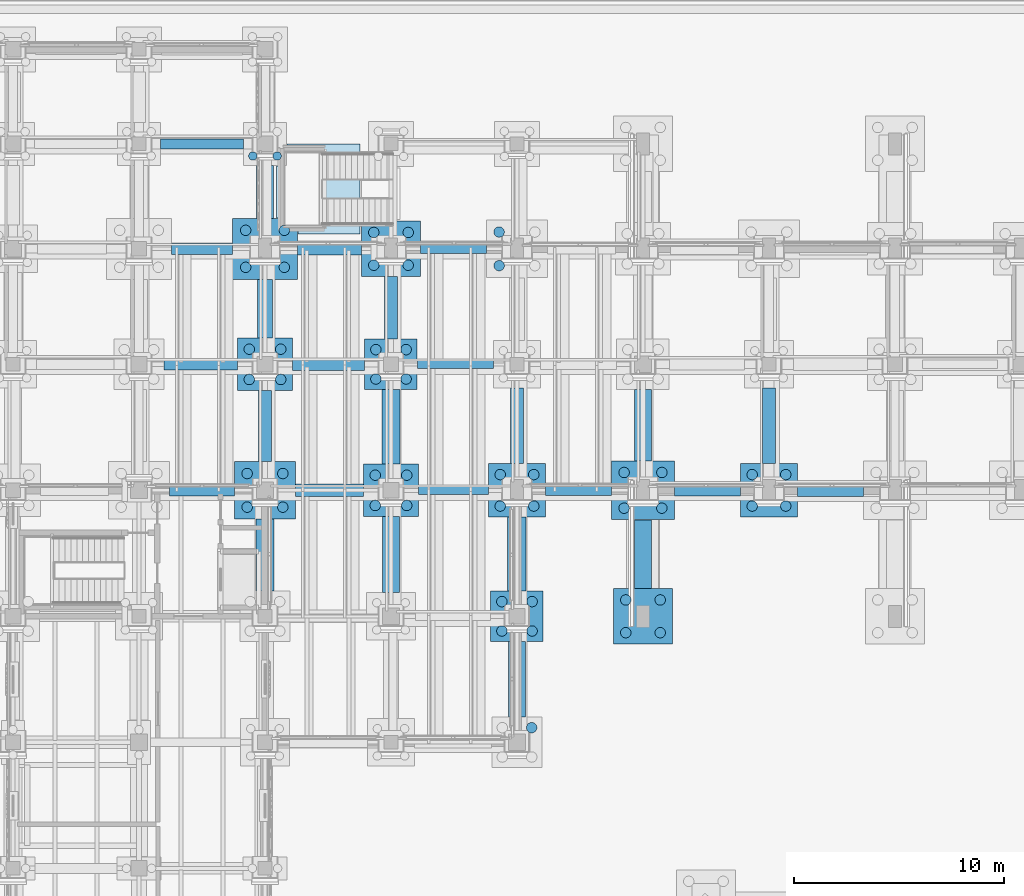
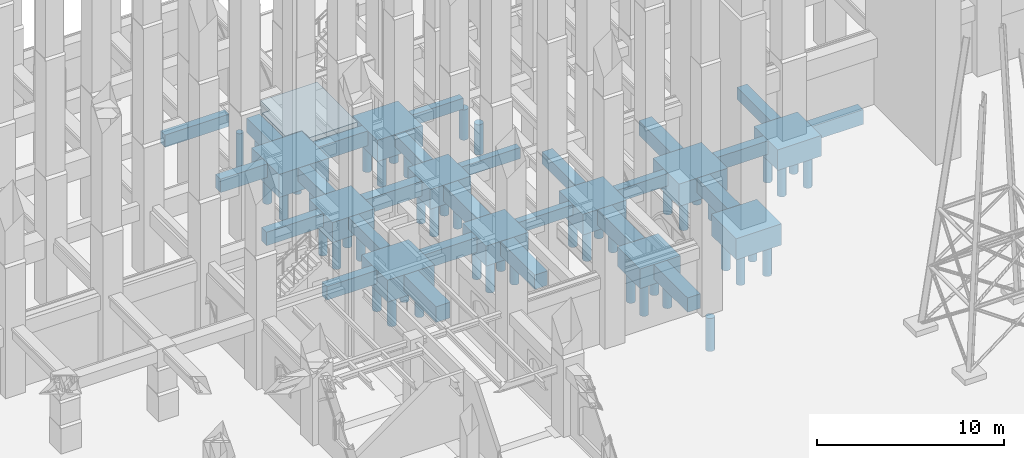
# One storey, part 9 of 135: 49 piles, 38 footings.
"""IFC4 building model written with IfcOpenShell, lengths in metres."""

from ifc_helpers import new_model, si_unit, direction, frame, origin, origin_2d, place, context, subcontext, project, spatial, polyline, rectangle, circle, outline, extrude, material, material_profile, profile_set, type_object, element, save


model = new_model("IFC4")

# Units and contexts
model_context = context("Model", 3, precision=1e-05, world=origin(), true_north=direction((0.0, 1.0)))
body_context = subcontext(model_context, "Body", "Model", "MODEL_VIEW")
ifc_project = project(units=[si_unit("LENGTHUNIT", "METRE"), si_unit("AREAUNIT", "SQUARE_METRE"), si_unit("VOLUMEUNIT", "CUBIC_METRE"), si_unit("PLANEANGLEUNIT", "RADIAN"), si_unit("MASSUNIT", "GRAM", prefix="KILO")], contexts=[model_context])

# Site, building, storey
site_placement = place(None, origin())
site = spatial("IfcSite", under=ifc_project, at=site_placement, CompositionType="ELEMENT")
building_placement = place(site_placement, origin())
building = spatial("IfcBuilding", under=site, at=building_placement, Name="Cumevento Cable Car Station", CompositionType="ELEMENT")
storey_placement = place(building_placement, origin())
storey = spatial("IfcBuildingStorey", under=building, at=storey_placement, Name="L01", CompositionType="ELEMENT", Elevation=0.0)

# Footings
ifc_material_1 = material(Name="Concrete C40/50", Category="concrete")
footing_type_1 = type_object("IfcFootingType", Name="Ground Beam GB-01 420x720", PredefinedType="FOOTING_BEAM", material=ifc_material_1)
footing_1_placement = place(storey_placement, frame((0.0, 0.0, -0.719970703125)))
element("IfcFooting", 1, at=footing_1_placement, inside=storey, type_object=footing_type_1, Name="Ground Tie Beam GB-01 #96", PredefinedType="FOOTING_BEAM", context=body_context, shape_type="SweptSolid", body=[
    extrude(outline(polyline([(77.302001953125, 44.7900390625), (80.64794921875, 44.7900390625), (80.64794921875, 45.2099609375), (77.302001953125, 45.2099609375), (77.302001953125, 44.7900390625)])), origin(), (0.0, 0.0, 1.0), 0.719970703125),
])
footing_2_placement = place(storey_placement, frame((0.0, 0.0, -0.719970703125)))
element("IfcFooting", 2, at=footing_2_placement, inside=storey, type_object=footing_type_1, Name="Ground Tie Beam GB-01 #120", PredefinedType="FOOTING_BEAM", context=body_context, shape_type="SweptSolid", body=[
    extrude(outline(polyline([(77.251953125, 50.7900390625), (80.873046875, 50.7900390625), (80.873046875, 51.2099609375), (77.251953125, 51.2099609375), (77.251953125, 50.7900390625)])), origin(), (0.0, 0.0, 1.0), 0.719970703125),
])
footing_3_placement = place(storey_placement, frame((0.0, 0.0, -0.719970703125)))
element("IfcFooting", 3, at=footing_3_placement, inside=storey, type_object=footing_type_1, Name="Ground Tie Beam GB-01 #140", PredefinedType="FOOTING_BEAM", context=body_context, shape_type="SweptSolid", body=[
    extrude(outline(polyline([(77.402099609375, 56.2900390625), (80.548095703125, 56.2900390625), (80.548095703125, 56.7099609375), (77.402099609375, 56.7099609375), (77.402099609375, 56.2900390625)])), origin(), (0.0, 0.0, 1.0), 0.719970703125),
])
ifc_material_2 = material(Name="Concrete C40/50", Category="concrete")
footing_type_2 = type_object("IfcFootingType", Name="Ground Beam GB-02 480x800", PredefinedType="FOOTING_BEAM", material=ifc_material_2)
footing_4_placement = place(storey_placement, frame((0.0, 0.0, -0.800048828125)))
element("IfcFooting", 4, at=footing_4_placement, inside=storey, type_object=footing_type_2, Name="Ground Tie Beam GB-02 #97", PredefinedType="FOOTING_BEAM", context=body_context, shape_type="SweptSolid", body=[
    extrude(outline(polyline([(83.35205078125, 44.760009765625), (86.498046875, 44.760009765625), (86.498046875, 45.239990234375), (83.35205078125, 45.239990234375), (83.35205078125, 44.760009765625)])), origin(), (0.0, 0.0, 1.0), 0.800048828125),
])
footing_5_placement = place(storey_placement, frame((0.0, 0.0, -0.800048828125)))
element("IfcFooting", 5, at=footing_5_placement, inside=storey, type_object=footing_type_2, Name="Ground Tie Beam GB-02 #153", PredefinedType="FOOTING_BEAM", context=body_context, shape_type="SweptSolid", body=[
    extrude(outline(polyline([(65.027099609375, 61.260009765625), (68.972900390625, 61.260009765625), (68.972900390625, 61.739990234375), (65.027099609375, 61.739990234375), (65.027099609375, 61.260009765625)])), origin(), (0.0, 0.0, 1.0), 0.800048828125),
])
ifc_material_3 = material(Name="Concrete C40/50", Category="concrete")
footing_type_3 = type_object("IfcFootingType", Name="Ground Beam GB-03 540x880", PredefinedType="FOOTING_BEAM", material=ifc_material_3)
footing_6_placement = place(storey_placement, frame((0.0, 0.0, -0.8798828125)))
element("IfcFooting", 6, at=footing_6_placement, inside=storey, type_object=footing_type_3, Name="Ground Tie Beam GB-03 #94", PredefinedType="FOOTING_BEAM", context=body_context, shape_type="SweptSolid", body=[
    extrude(outline(polyline([(65.451904296875, 44.72998046875), (68.548095703125, 44.72998046875), (68.548095703125, 45.27001953125), (65.451904296875, 45.27001953125), (65.451904296875, 44.72998046875)])), origin(), (0.0, 0.0, 1.0), 0.8798828125),
])
footing_7_placement = place(storey_placement, frame((0.0, 0.0, -0.8798828125)))
element("IfcFooting", 7, at=footing_7_placement, inside=storey, type_object=footing_type_3, Name="Ground Tie Beam GB-03 #98", PredefinedType="FOOTING_BEAM", context=body_context, shape_type="SweptSolid", body=[
    extrude(outline(polyline([(89.501953125, 44.72998046875), (92.64794921875, 44.72998046875), (92.64794921875, 45.27001953125), (89.501953125, 45.27001953125), (89.501953125, 44.72998046875)])), origin(), (0.0, 0.0, 1.0), 0.8798828125),
])
footing_8_placement = place(storey_placement, frame((0.0, 0.0, -0.8798828125)))
element("IfcFooting", 8, at=footing_8_placement, inside=storey, type_object=footing_type_3, Name="Ground Tie Beam GB-03 #118", PredefinedType="FOOTING_BEAM", context=body_context, shape_type="SweptSolid", body=[
    extrude(outline(polyline([(65.201904296875, 50.72998046875), (68.697998046875, 50.72998046875), (68.697998046875, 51.27001953125), (65.201904296875, 51.27001953125), (65.201904296875, 50.72998046875)])), origin(), (0.0, 0.0, 1.0), 0.8798828125),
])
footing_9_placement = place(storey_placement, frame((0.0, 0.0, -0.8798828125)))
element("IfcFooting", 9, at=footing_9_placement, inside=storey, type_object=footing_type_3, Name="Ground Tie Beam GB-03 #138", PredefinedType="FOOTING_BEAM", context=body_context, shape_type="SweptSolid", body=[
    extrude(outline(polyline([(65.552001953125, 56.22998046875), (68.447998046875, 56.22998046875), (68.447998046875, 56.77001953125), (65.552001953125, 56.77001953125), (65.552001953125, 56.22998046875)])), origin(), (0.0, 0.0, 1.0), 0.8798828125),
])
ifc_material_4 = material(Name="Concrete C40/50", Category="concrete")
footing_type_4 = type_object("IfcFootingType", Name="Ground Beam GB-04 600x960", PredefinedType="FOOTING_BEAM", material=ifc_material_4)
footing_10_placement = place(storey_placement, frame((0.0, 0.0, -0.9599609375)))
element("IfcFooting", 10, at=footing_10_placement, inside=storey, type_object=footing_type_4, Name="Ground Tie Beam GB-04 #95", PredefinedType="FOOTING_BEAM", context=body_context, shape_type="SweptSolid", body=[
    extrude(outline(polyline([(71.451904296875, 44.699951171875), (74.697998046875, 44.699951171875), (74.697998046875, 45.300048828125), (71.451904296875, 45.300048828125), (71.451904296875, 44.699951171875)])), origin(), (0.0, 0.0, 1.0), 0.9599609375),
])
footing_11_placement = place(storey_placement, frame((0.0, 0.0, -0.9599609375)))
element("IfcFooting", 11, at=footing_11_placement, inside=storey, type_object=footing_type_4, Name="Ground Tie Beam GB-04 #99", PredefinedType="FOOTING_BEAM", context=body_context, shape_type="SweptSolid", body=[
    extrude(outline(polyline([(95.35205078125, 44.699951171875), (98.498046875, 44.699951171875), (98.498046875, 45.300048828125), (95.35205078125, 45.300048828125), (95.35205078125, 44.699951171875)])), origin(), (0.0, 0.0, 1.0), 0.9599609375),
])
footing_12_placement = place(storey_placement, frame((0.0, 0.0, -0.9599609375)))
element("IfcFooting", 12, at=footing_12_placement, inside=storey, type_object=footing_type_4, Name="Ground Tie Beam GB-04 #119", PredefinedType="FOOTING_BEAM", context=body_context, shape_type="SweptSolid", body=[
    extrude(outline(polyline([(71.302001953125, 50.699951171875), (74.748046875, 50.699951171875), (74.748046875, 51.300048828125), (71.302001953125, 51.300048828125), (71.302001953125, 50.699951171875)])), origin(), (0.0, 0.0, 1.0), 0.9599609375),
])
footing_13_placement = place(storey_placement, frame((0.0, 0.0, -0.9599609375)))
element("IfcFooting", 13, at=footing_13_placement, inside=storey, type_object=footing_type_4, Name="Ground Tie Beam GB-04 #139", PredefinedType="FOOTING_BEAM", context=body_context, shape_type="SweptSolid", body=[
    extrude(outline(polyline([(71.552001953125, 56.199951171875), (74.597900390625, 56.199951171875), (74.597900390625, 56.800048828125), (71.552001953125, 56.800048828125), (71.552001953125, 56.199951171875)])), origin(), (0.0, 0.0, 1.0), 0.9599609375),
])

# Piles
ifc_material_5 = material(Name="Concrete C40/50", Category="concrete")
ifc_material_profile_1 = material_profile(ifc_material_5, circle(Radius=0.199951171875, at=origin_2d()), Name="PILE-D400")
ifc_profile_set_1 = profile_set([ifc_material_profile_1], Name="Concrete C40/50")
pile_type_1 = type_object("IfcPileType", Name="PILE-BORED-400", PredefinedType="BORED", material=ifc_profile_set_1)
for number, where, z_axis, x_axis, name in (
    (14, (69.419921875, 60.919921875, -1.10009765625), (0.0, 0.0, -1.0), (1.0, 0.0, 0.0), "Bored Pile PL-400 #305"),
    (15, (70.580078125, 60.919921875, -1.10009765625), (0.0, 0.0, -1.0), (1.0, 0.0, 0.0), "Bored Pile PL-400 #306"),
):
    element("IfcPile", number, at=place(storey_placement, frame(where, z_axis=z_axis, x_axis=x_axis)), inside=storey, type_object=pile_type_1, Name=name, PredefinedType="BORED", context=body_context, shape_type="SweptSolid", body=[
        extrude(circle(Radius=0.199951171875, at=origin_2d()), origin(), (0.0, 0.0, 1.0), 2.300048828125),
    ])
ifc_material_6 = material(Name="Concrete C40/50", Category="concrete")
ifc_material_profile_2 = material_profile(ifc_material_6, circle(Radius=0.25, at=origin_2d()), Name="PILE-D500")
ifc_profile_set_2 = profile_set([ifc_material_profile_2], Name="Concrete C40/50")
pile_type_2 = type_object("IfcPileType", Name="PILE-BORED-500", PredefinedType="BORED", material=ifc_profile_set_2)
for number, where, z_axis, x_axis, name in (
    (16, (69.14990234375, 44.199951171875, -1.419921875), (0.0, 0.0, -1.0), (1.0, 0.0, 0.0), "Bored Pile PL-500 #293"),
    (17, (70.85009765625, 44.199951171875, -1.419921875), (0.0, 0.0, -1.0), (1.0, 0.0, 0.0), "Bored Pile PL-500 #294"),
    (18, (69.14990234375, 45.800048828125, -1.419921875), (0.0, 0.0, -1.0), (1.0, 0.0, 0.0), "Bored Pile PL-500 #295"),
    (19, (70.85009765625, 45.800048828125, -1.419921875), (0.0, 0.0, -1.0), (1.0, 0.0, 0.0), "Bored Pile PL-500 #296"),
):
    element("IfcPile", number, at=place(storey_placement, frame(where, z_axis=z_axis, x_axis=x_axis)), inside=storey, type_object=pile_type_2, Name=name, PredefinedType="BORED", context=body_context, shape_type="SweptSolid", body=[
        extrude(circle(Radius=0.25, at=origin_2d()), origin(), (0.0, 0.0, 1.0), 1.97998046875),
    ])
for number, where, z_axis, x_axis, name in (
    (20, (69.25, 50.280029296875, -1.300048828125), (0.0, 0.0, -1.0), (1.0, 0.0, 0.0), "Bored Pile PL-500 #297"),
    (21, (70.75, 50.280029296875, -1.300048828125), (0.0, 0.0, -1.0), (1.0, 0.0, 0.0), "Bored Pile PL-500 #298"),
    (22, (69.25, 51.719970703125, -1.300048828125), (0.0, 0.0, -1.0), (1.0, 0.0, 0.0), "Bored Pile PL-500 #299"),
    (23, (70.75, 51.719970703125, -1.300048828125), (0.0, 0.0, -1.0), (1.0, 0.0, 0.0), "Bored Pile PL-500 #300"),
):
    element("IfcPile", number, at=place(storey_placement, frame(where, z_axis=z_axis, x_axis=x_axis)), inside=storey, type_object=pile_type_2, Name=name, PredefinedType="BORED", context=body_context, shape_type="SweptSolid", body=[
        extrude(circle(Radius=0.25, at=origin_2d()), origin(), (0.0, 0.0, 1.0), 2.10009765625),
    ])
for number, where, z_axis, x_axis, name in (
    (24, (69.080078125, 55.6201171875, -1.5), (0.0, 0.0, -1.0), (1.0, 0.0, 0.0), "Bored Pile PL-500 #301"),
    (25, (70.919921875, 55.6201171875, -1.5), (0.0, 0.0, -1.0), (1.0, 0.0, 0.0), "Bored Pile PL-500 #302"),
    (26, (69.080078125, 57.3798828125, -1.5), (0.0, 0.0, -1.0), (1.0, 0.0, 0.0), "Bored Pile PL-500 #303"),
    (27, (70.919921875, 57.3798828125, -1.5), (0.0, 0.0, -1.0), (1.0, 0.0, 0.0), "Bored Pile PL-500 #304"),
):
    element("IfcPile", number, at=place(storey_placement, frame(where, z_axis=z_axis, x_axis=x_axis)), inside=storey, type_object=pile_type_2, Name=name, PredefinedType="BORED", context=body_context, shape_type="SweptSolid", body=[
        extrude(circle(Radius=0.25, at=origin_2d()), origin(), (0.0, 0.0, 1.0), 1.89990234375),
    ])
for number, where, z_axis, x_axis, name in (
    (28, (75.25, 44.280029296875, -1.300048828125), (0.0, 0.0, -1.0), (1.0, 0.0, 0.0), "Bored Pile PL-500 #325"),
    (29, (76.75, 44.280029296875, -1.300048828125), (0.0, 0.0, -1.0), (1.0, 0.0, 0.0), "Bored Pile PL-500 #326"),
    (30, (75.25, 45.719970703125, -1.300048828125), (0.0, 0.0, -1.0), (1.0, 0.0, 0.0), "Bored Pile PL-500 #327"),
    (31, (76.75, 45.719970703125, -1.300048828125), (0.0, 0.0, -1.0), (1.0, 0.0, 0.0), "Bored Pile PL-500 #328"),
):
    element("IfcPile", number, at=place(storey_placement, frame(where, z_axis=z_axis, x_axis=x_axis)), inside=storey, type_object=pile_type_2, Name=name, PredefinedType="BORED", context=body_context, shape_type="SweptSolid", body=[
        extrude(circle(Radius=0.25, at=origin_2d()), origin(), (0.0, 0.0, 1.0), 2.10009765625),
    ])
for number, where, z_axis, x_axis, name in (
    (32, (75.280029296875, 50.300048828125, -1.280029296875), (0.0, 0.0, -1.0), (1.0, 0.0, 0.0), "Bored Pile PL-500 #329"),
    (33, (76.719970703125, 50.300048828125, -1.280029296875), (0.0, 0.0, -1.0), (1.0, 0.0, 0.0), "Bored Pile PL-500 #330"),
    (34, (75.280029296875, 51.699951171875, -1.280029296875), (0.0, 0.0, -1.0), (1.0, 0.0, 0.0), "Bored Pile PL-500 #331"),
    (35, (76.719970703125, 51.699951171875, -1.280029296875), (0.0, 0.0, -1.0), (1.0, 0.0, 0.0), "Bored Pile PL-500 #332"),
):
    element("IfcPile", number, at=place(storey_placement, frame(where, z_axis=z_axis, x_axis=x_axis)), inside=storey, type_object=pile_type_2, Name=name, PredefinedType="BORED", context=body_context, shape_type="SweptSolid", body=[
        extrude(circle(Radius=0.25, at=origin_2d()), origin(), (0.0, 0.0, 1.0), 2.1201171875),
    ])
for number, where, z_axis, x_axis, name in (
    (36, (75.179931640625, 55.719970703125, -1.3798828125), (0.0, 0.0, -1.0), (1.0, 0.0, 0.0), "Bored Pile PL-500 #333"),
    (37, (76.820068359375, 55.719970703125, -1.3798828125), (0.0, 0.0, -1.0), (1.0, 0.0, 0.0), "Bored Pile PL-500 #334"),
    (38, (75.179931640625, 57.280029296875, -1.3798828125), (0.0, 0.0, -1.0), (1.0, 0.0, 0.0), "Bored Pile PL-500 #335"),
    (39, (76.820068359375, 57.280029296875, -1.3798828125), (0.0, 0.0, -1.0), (1.0, 0.0, 0.0), "Bored Pile PL-500 #336"),
):
    element("IfcPile", number, at=place(storey_placement, frame(where, z_axis=z_axis, x_axis=x_axis)), inside=storey, type_object=pile_type_2, Name=name, PredefinedType="BORED", context=body_context, shape_type="SweptSolid", body=[
        extrude(circle(Radius=0.25, at=origin_2d()), origin(), (0.0, 0.0, 1.0), 2.02001953125),
    ])
pile_placement = place(storey_placement, frame((82.699951171875, 33.699951171875, -1.25), z_axis=(0.0, 0.0, -1.0), x_axis=(1.0, 0.0, 0.0)))
element("IfcPile", 40, at=pile_placement, inside=storey, type_object=pile_type_2, Name="Bored Pile PL-500 #344", PredefinedType="BORED", context=body_context, shape_type="SweptSolid", body=[
    extrude(circle(Radius=0.25, at=origin_2d()), origin(), (0.0, 0.0, 1.0), 2.14990234375),
])
for number, where, z_axis, x_axis, name in (
    (41, (81.280029296875, 38.300048828125, -1.280029296875), (0.0, 0.0, -1.0), (1.0, 0.0, 0.0), "Bored Pile PL-500 #345"),
    (42, (82.719970703125, 38.300048828125, -1.280029296875), (0.0, 0.0, -1.0), (1.0, 0.0, 0.0), "Bored Pile PL-500 #346"),
    (43, (81.280029296875, 39.699951171875, -1.280029296875), (0.0, 0.0, -1.0), (1.0, 0.0, 0.0), "Bored Pile PL-500 #347"),
    (44, (82.719970703125, 39.699951171875, -1.280029296875), (0.0, 0.0, -1.0), (1.0, 0.0, 0.0), "Bored Pile PL-500 #348"),
):
    element("IfcPile", number, at=place(storey_placement, frame(where, z_axis=z_axis, x_axis=x_axis)), inside=storey, type_object=pile_type_2, Name=name, PredefinedType="BORED", context=body_context, shape_type="SweptSolid", body=[
        extrude(circle(Radius=0.25, at=origin_2d()), origin(), (0.0, 0.0, 1.0), 2.1201171875),
    ])
for number, where, z_axis, x_axis, name in (
    (45, (81.199951171875, 44.25, -1.340087890625), (0.0, 0.0, -1.0), (1.0, 0.0, 0.0), "Bored Pile PL-500 #349"),
    (46, (82.800048828125, 44.25, -1.340087890625), (0.0, 0.0, -1.0), (1.0, 0.0, 0.0), "Bored Pile PL-500 #350"),
    (47, (81.199951171875, 45.75, -1.340087890625), (0.0, 0.0, -1.0), (1.0, 0.0, 0.0), "Bored Pile PL-500 #351"),
    (48, (82.800048828125, 45.75, -1.340087890625), (0.0, 0.0, -1.0), (1.0, 0.0, 0.0), "Bored Pile PL-500 #352"),
):
    element("IfcPile", number, at=place(storey_placement, frame(where, z_axis=z_axis, x_axis=x_axis)), inside=storey, type_object=pile_type_2, Name=name, PredefinedType="BORED", context=body_context, shape_type="SweptSolid", body=[
        extrude(circle(Radius=0.25, at=origin_2d()), origin(), (0.0, 0.0, 1.0), 2.06005859375),
    ])
for number, where, z_axis, x_axis, name in (
    (49, (81.14990234375, 55.699951171875, -1.419921875), (0.0, 0.0, -1.0), (1.0, 0.0, 0.0), "Bored Pile PL-500 #357"),
    (50, (81.14990234375, 57.300048828125, -1.419921875), (0.0, 0.0, -1.0), (1.0, 0.0, 0.0), "Bored Pile PL-500 #359"),
):
    element("IfcPile", number, at=place(storey_placement, frame(where, z_axis=z_axis, x_axis=x_axis)), inside=storey, type_object=pile_type_2, Name=name, PredefinedType="BORED", context=body_context, shape_type="SweptSolid", body=[
        extrude(circle(Radius=0.25, at=origin_2d()), origin(), (0.0, 0.0, 1.0), 1.97998046875),
    ])
for number, where, z_axis, x_axis, name in (
    (51, (87.10009765625, 44.14990234375, -1.449951171875), (0.0, 0.0, -1.0), (1.0, 0.0, 0.0), "Bored Pile PL-500 #361"),
    (52, (88.89990234375, 44.14990234375, -1.449951171875), (0.0, 0.0, -1.0), (1.0, 0.0, 0.0), "Bored Pile PL-500 #362"),
    (53, (87.10009765625, 45.85009765625, -1.449951171875), (0.0, 0.0, -1.0), (1.0, 0.0, 0.0), "Bored Pile PL-500 #363"),
    (54, (88.89990234375, 45.85009765625, -1.449951171875), (0.0, 0.0, -1.0), (1.0, 0.0, 0.0), "Bored Pile PL-500 #364"),
):
    element("IfcPile", number, at=place(storey_placement, frame(where, z_axis=z_axis, x_axis=x_axis)), inside=storey, type_object=pile_type_2, Name=name, PredefinedType="BORED", context=body_context, shape_type="SweptSolid", body=[
        extrude(circle(Radius=0.25, at=origin_2d()), origin(), (0.0, 0.0, 1.0), 1.949951171875),
    ])
for number, where, z_axis, x_axis, name in (
    (55, (93.199951171875, 44.25, -1.340087890625), (0.0, 0.0, -1.0), (1.0, 0.0, 0.0), "Bored Pile PL-500 #373"),
    (56, (94.800048828125, 44.25, -1.340087890625), (0.0, 0.0, -1.0), (1.0, 0.0, 0.0), "Bored Pile PL-500 #374"),
    (57, (93.199951171875, 45.75, -1.340087890625), (0.0, 0.0, -1.0), (1.0, 0.0, 0.0), "Bored Pile PL-500 #375"),
    (58, (94.800048828125, 45.75, -1.340087890625), (0.0, 0.0, -1.0), (1.0, 0.0, 0.0), "Bored Pile PL-500 #376"),
):
    element("IfcPile", number, at=place(storey_placement, frame(where, z_axis=z_axis, x_axis=x_axis)), inside=storey, type_object=pile_type_2, Name=name, PredefinedType="BORED", context=body_context, shape_type="SweptSolid", body=[
        extrude(circle(Radius=0.25, at=origin_2d()), origin(), (0.0, 0.0, 1.0), 2.06005859375),
    ])
for number, where, z_axis, x_axis, name in (
    (59, (87.179931640625, 38.219970703125, -1.3798828125), (0.0, 0.0, -1.0), (1.0, 0.0, 0.0), "Bored Pile PL-500 Ext #9"),
    (60, (88.820068359375, 38.219970703125, -1.3798828125), (0.0, 0.0, -1.0), (1.0, 0.0, 0.0), "Bored Pile PL-500 Ext #10"),
    (61, (87.179931640625, 39.780029296875, -1.3798828125), (0.0, 0.0, -1.0), (1.0, 0.0, 0.0), "Bored Pile PL-500 Ext #11"),
    (62, (88.820068359375, 39.780029296875, -1.3798828125), (0.0, 0.0, -1.0), (1.0, 0.0, 0.0), "Bored Pile PL-500 Ext #12"),
):
    element("IfcPile", number, at=place(storey_placement, frame(where, z_axis=z_axis, x_axis=x_axis)), inside=storey, type_object=pile_type_2, Name=name, PredefinedType="BORED", context=body_context, shape_type="SweptSolid", body=[
        extrude(circle(Radius=0.25, at=origin_2d()), origin(), (0.0, 0.0, 1.0), 2.02001953125),
    ])

# Footings
ifc_material_7 = material(Name="Concrete C40/50", Category="concrete")
footing_type_5 = type_object("IfcFootingType", Name="Pile Cap PC-10 2500x2400x1280", PredefinedType="PILE_CAP", material=ifc_material_7)
for number, where, z_axis, x_axis, name in (
    (63, (76.0, 51.0, -1.27978515625), (0.0, 0.0, 1.0), (1.0, 0.0, 0.0), "Pile Cap PC-10 at (76.0,51.0)"),
    (64, (82.0, 39.0, -1.27978515625), (0.0, 0.0, 1.0), (1.0, 0.0, 0.0), "Pile Cap PC-10 at (82.0,39.0)"),
):
    element("IfcFooting", number, at=place(storey_placement, frame(where, z_axis=z_axis, x_axis=x_axis)), inside=storey, type_object=footing_type_5, Name=name, PredefinedType="PILE_CAP", context=body_context, shape_type="SweptSolid", body=[
        extrude(rectangle(XDim=2.5, YDim=2.39990234375, at=origin_2d()), origin(), (0.0, 0.0, 1.0), 1.280029296875),
    ])
ifc_material_8 = material(Name="Concrete C40/50", Category="concrete")
footing_type_6 = type_object("IfcFootingType", Name="Pile Cap PC-11 2600x2500x1300", PredefinedType="PILE_CAP", material=ifc_material_8)
for number, where, z_axis, x_axis, name in (
    (65, (70.0, 51.0, -1.2998046875), (0.0, 0.0, 1.0), (1.0, 0.0, 0.0), "Pile Cap PC-11 at (70.0,51.0)"),
    (66, (76.0, 45.0, -1.2998046875), (0.0, 0.0, 1.0), (1.0, 0.0, 0.0), "Pile Cap PC-11 at (76.0,45.0)"),
):
    element("IfcFooting", number, at=place(storey_placement, frame(where, z_axis=z_axis, x_axis=x_axis)), inside=storey, type_object=footing_type_6, Name=name, PredefinedType="PILE_CAP", context=body_context, shape_type="SweptSolid", body=[
        extrude(rectangle(XDim=2.60009765625, YDim=2.5, at=origin_2d()), origin(), (0.0, 0.0, 1.0), 1.300048828125),
    ])
ifc_material_9 = material(Name="Concrete C40/50", Category="concrete")
footing_type_7 = type_object("IfcFootingType", Name="Pile Cap PC-12 2700x2550x1340", PredefinedType="PILE_CAP", material=ifc_material_9)
for number, where, z_axis, x_axis, name in (
    (67, (82.0, 45.0, -1.33984375), (0.0, 0.0, 1.0), (1.0, 0.0, 0.0), "Pile Cap PC-12 at (82.0,45.0)"),
    (68, (94.0, 45.0, -1.33984375), (0.0, 0.0, 1.0), (1.0, 0.0, 0.0), "Pile Cap PC-12 at (94.0,45.0)"),
):
    element("IfcFooting", number, at=place(storey_placement, frame(where, z_axis=z_axis, x_axis=x_axis)), inside=storey, type_object=footing_type_7, Name=name, PredefinedType="PILE_CAP", context=body_context, shape_type="SweptSolid", body=[
        extrude(rectangle(XDim=2.699951171875, YDim=2.550048828125, at=origin_2d()), origin(), (0.0, 0.0, 1.0), 1.340087890625),
    ])
ifc_material_10 = material(Name="Concrete C40/50", Category="concrete")
footing_type_8 = type_object("IfcFootingType", Name="Pile Cap PC-13 2800x2650x1380", PredefinedType="PILE_CAP", material=ifc_material_10)
for number, where, z_axis, x_axis, name in (
    (69, (76.0, 56.5, -1.3798828125), (0.0, 0.0, 1.0), (1.0, 0.0, 0.0), "Pile Cap PC-13 at (76.0,56.5)"),
    (70, (88.0, 39.0, -1.3798828125), (0.0, 0.0, 1.0), (1.0, 0.0, 0.0), "Pile Cap PC-13 at (88.0,39.0)"),
):
    element("IfcFooting", number, at=place(storey_placement, frame(where, z_axis=z_axis, x_axis=x_axis)), inside=storey, type_object=footing_type_8, Name=name, PredefinedType="PILE_CAP", context=body_context, shape_type="SweptSolid", body=[
        extrude(rectangle(XDim=2.800048828125, YDim=2.64990234375, at=origin_2d()), origin(), (0.0, 0.0, 1.0), 1.3798828125),
    ])
ifc_material_11 = material(Name="Concrete C40/50", Category="concrete")
footing_type_9 = type_object("IfcFootingType", Name="Pile Cap PC-14 2900x2750x1420", PredefinedType="PILE_CAP", material=ifc_material_11)
footing_14_placement = place(storey_placement, frame((70.0, 45.0, -1.419921875), z_axis=(0.0, 0.0, 1.0), x_axis=(1.0, 0.0, 0.0)))
element("IfcFooting", 71, at=footing_14_placement, inside=storey, type_object=footing_type_9, Name="Pile Cap PC-14 at (70.0,45.0)", PredefinedType="PILE_CAP", context=body_context, shape_type="SweptSolid", body=[
    extrude(rectangle(XDim=2.89990234375, YDim=2.75, at=origin_2d()), origin(), (0.0, 0.0, 1.0), 1.419921875),
])
ifc_material_12 = material(Name="Concrete C40/50", Category="concrete")
footing_type_10 = type_object("IfcFootingType", Name="Pile Cap PC-15 3000x2800x1450", PredefinedType="PILE_CAP", material=ifc_material_12)
footing_15_placement = place(storey_placement, frame((88.0, 45.0, -1.4501953125), z_axis=(0.0, 0.0, 1.0), x_axis=(1.0, 0.0, 0.0)))
element("IfcFooting", 72, at=footing_15_placement, inside=storey, type_object=footing_type_10, Name="Pile Cap PC-15 at (88.0,45.0)", PredefinedType="PILE_CAP", context=body_context, shape_type="SweptSolid", body=[
    extrude(rectangle(XDim=3.0, YDim=2.800048828125, at=origin_2d()), origin(), (0.0, 0.0, 1.0), 1.449951171875),
])
ifc_material_13 = material(Name="Concrete C40/50", Category="concrete")
footing_type_11 = type_object("IfcFootingType", Name="Pile Cap PC-16 3100x2900x1500", PredefinedType="PILE_CAP", material=ifc_material_13)
footing_16_placement = place(storey_placement, frame((70.0, 56.5, -1.5), z_axis=(0.0, 0.0, 1.0), x_axis=(1.0, 0.0, 0.0)))
element("IfcFooting", 73, at=footing_16_placement, inside=storey, type_object=footing_type_11, Name="Pile Cap PC-16 at (70.0,56.5)", PredefinedType="PILE_CAP", context=body_context, shape_type="SweptSolid", body=[
    extrude(rectangle(XDim=3.10009765625, YDim=2.89990234375, at=origin_2d()), origin(), (0.0, 0.0, 1.0), 1.5),
])
ifc_material_14 = material(Name="Concrete C40/50", Category="concrete")
footing_type_12 = type_object("IfcFootingType", Name="Strip Footing SF-01 640x780", PredefinedType="STRIP_FOOTING", material=ifc_material_14)
footing_17_placement = place(storey_placement, frame((0.0, 0.0, -0.780029296875)))
element("IfcFooting", 74, at=footing_17_placement, inside=storey, type_object=footing_type_12, Name="Strip Footing SF-01 #236", PredefinedType="STRIP_FOOTING", context=body_context, shape_type="SweptSolid", body=[
    extrude(outline(polyline([(69.679931640625, 46.376953125), (70.320068359375, 46.376953125), (70.320068359375, 49.748046875), (69.679931640625, 49.748046875), (69.679931640625, 46.376953125)])), origin(), (0.0, 0.0, 1.0), 0.780029296875),
])
footing_18_placement = place(storey_placement, frame((0.0, 0.0, -0.780029296875)))
element("IfcFooting", 75, at=footing_18_placement, inside=storey, type_object=footing_type_12, Name="Strip Footing SF-01 #244", PredefinedType="STRIP_FOOTING", context=body_context, shape_type="SweptSolid", body=[
    extrude(outline(polyline([(75.679931640625, 52.201904296875), (76.320068359375, 52.201904296875), (76.320068359375, 55.173095703125), (75.679931640625, 55.173095703125), (75.679931640625, 52.201904296875)])), origin(), (0.0, 0.0, 1.0), 0.780029296875),
])
footing_19_placement = place(storey_placement, frame((0.0, 0.0, -0.780029296875)))
element("IfcFooting", 76, at=footing_19_placement, inside=storey, type_object=footing_type_12, Name="Strip Footing SF-01 #248", PredefinedType="STRIP_FOOTING", context=body_context, shape_type="SweptSolid", body=[
    extrude(outline(polyline([(81.679931640625, 46.277099609375), (82.320068359375, 46.277099609375), (82.320068359375, 49.873046875), (81.679931640625, 49.873046875), (81.679931640625, 46.277099609375)])), origin(), (0.0, 0.0, 1.0), 0.780029296875),
])
footing_20_placement = place(storey_placement, frame((0.0, 0.0, -0.780029296875)))
element("IfcFooting", 77, at=footing_20_placement, inside=storey, type_object=footing_type_12, Name="Strip Footing SF-01 #252", PredefinedType="STRIP_FOOTING", context=body_context, shape_type="SweptSolid", body=[
    extrude(outline(polyline([(93.679931640625, 46.277099609375), (94.320068359375, 46.277099609375), (94.320068359375, 49.873046875), (93.679931640625, 49.873046875), (93.679931640625, 46.277099609375)])), origin(), (0.0, 0.0, 1.0), 0.780029296875),
])
ifc_material_15 = material(Name="Concrete C40/50", Category="concrete")
footing_type_13 = type_object("IfcFootingType", Name="Strip Footing SF-02 720x860", PredefinedType="STRIP_FOOTING", material=ifc_material_15)
footing_21_placement = place(storey_placement, frame((0.0, 0.0, -0.860107421875)))
element("IfcFooting", 78, at=footing_21_placement, inside=storey, type_object=footing_type_13, Name="Strip Footing SF-02 #237", PredefinedType="STRIP_FOOTING", context=body_context, shape_type="SweptSolid", body=[
    extrude(outline(polyline([(69.639892578125, 52.251953125), (70.360107421875, 52.251953125), (70.360107421875, 55.048095703125), (69.639892578125, 55.048095703125), (69.639892578125, 52.251953125)])), origin(), (0.0, 0.0, 1.0), 0.860107421875),
])
footing_22_placement = place(storey_placement, frame((0.0, 0.0, -0.860107421875)))
element("IfcFooting", 79, at=footing_22_placement, inside=storey, type_object=footing_type_13, Name="Exterior Stone Stair Foundation Raft ST-17", PredefinedType="STRIP_FOOTING", context=body_context, shape_type="SweptSolid", body=[
    extrude(outline(polyline([(74.534912109375, 61.5), (74.534912109375, 57.199951171875), (71.574951171875, 57.199951171875), (71.574951171875, 57.97509765625), (70.550048828125, 57.97509765625), (70.550048828125, 60.449951171875), (71.050048828125, 60.449951171875), (71.050048828125, 61.5), (74.534912109375, 61.5)])), origin(), (0.0, 0.0, 1.0), 0.860107421875),
])
ifc_material_16 = material(Name="Concrete C40/50", Category="concrete")
footing_type_14 = type_object("IfcFootingType", Name="Strip Footing SF-03 800x940", PredefinedType="STRIP_FOOTING", material=ifc_material_16)
footing_23_placement = place(storey_placement, frame((0.0, 0.0, -0.93994140625)))
element("IfcFooting", 80, at=footing_23_placement, inside=storey, type_object=footing_type_14, Name="Strip Footing SF-03 #238", PredefinedType="STRIP_FOOTING", context=body_context, shape_type="SweptSolid", body=[
    extrude(outline(polyline([(69.60009765625, 57.951904296875), (70.39990234375, 57.951904296875), (70.39990234375, 60.472900390625), (69.60009765625, 60.472900390625), (69.60009765625, 57.951904296875)])), origin(), (0.0, 0.0, 1.0), 0.93994140625),
])
footing_24_placement = place(storey_placement, frame((0.0, 0.0, -0.93994140625)))
element("IfcFooting", 81, at=footing_24_placement, inside=storey, type_object=footing_type_14, Name="Strip Footing SF-03 #242", PredefinedType="STRIP_FOOTING", context=body_context, shape_type="SweptSolid", body=[
    extrude(outline(polyline([(75.60009765625, 40.126953125), (76.39990234375, 40.126953125), (76.39990234375, 43.748046875), (75.60009765625, 43.748046875), (75.60009765625, 40.126953125)])), origin(), (0.0, 0.0, 1.0), 0.93994140625),
])
footing_25_placement = place(storey_placement, frame((0.0, 0.0, -0.93994140625)))
element("IfcFooting", 82, at=footing_25_placement, inside=storey, type_object=footing_type_14, Name="Strip Footing SF-03 #246", PredefinedType="STRIP_FOOTING", context=body_context, shape_type="SweptSolid", body=[
    extrude(outline(polyline([(81.60009765625, 34.201904296875), (82.39990234375, 34.201904296875), (82.39990234375, 37.798095703125), (81.60009765625, 37.798095703125), (81.60009765625, 34.201904296875)])), origin(), (0.0, 0.0, 1.0), 0.93994140625),
])
footing_26_placement = place(storey_placement, frame((0.0, 0.0, -0.93994140625)))
element("IfcFooting", 83, at=footing_26_placement, inside=storey, type_object=footing_type_14, Name="Strip Footing SF-03 #250", PredefinedType="STRIP_FOOTING", context=body_context, shape_type="SweptSolid", body=[
    extrude(outline(polyline([(87.60009765625, 46.402099609375), (88.39990234375, 46.402099609375), (88.39990234375, 49.798095703125), (87.60009765625, 49.798095703125), (87.60009765625, 46.402099609375)])), origin(), (0.0, 0.0, 1.0), 0.93994140625),
])
footing_27_placement = place(storey_placement, frame((0.0, 0.0, -0.93994140625)))
element("IfcFooting", 84, at=footing_27_placement, inside=storey, type_object=footing_type_14, Name="Portal Tie Footing SF-03 #3", PredefinedType="STRIP_FOOTING", context=body_context, shape_type="SweptSolid", body=[
    extrude(outline(polyline([(87.60009765625, 40.326904296875), (88.39990234375, 40.326904296875), (88.39990234375, 43.597900390625), (87.60009765625, 43.597900390625), (87.60009765625, 40.326904296875)])), origin(), (0.0, 0.0, 1.0), 0.93994140625),
])
ifc_material_17 = material(Name="Concrete C40/50", Category="concrete")
footing_type_15 = type_object("IfcFootingType", Name="Strip Footing SF-04 880x1020", PredefinedType="STRIP_FOOTING", material=ifc_material_17)
footing_28_placement = place(storey_placement, frame((0.0, 0.0, -1.02001953125)))
element("IfcFooting", 85, at=footing_28_placement, inside=storey, type_object=footing_type_15, Name="Strip Footing SF-04 #235", PredefinedType="STRIP_FOOTING", context=body_context, shape_type="SweptSolid", body=[
    extrude(outline(polyline([(69.56005859375, 40.201904296875), (70.43994140625, 40.201904296875), (70.43994140625, 43.623046875), (69.56005859375, 43.623046875), (69.56005859375, 40.201904296875)])), origin(), (0.0, 0.0, 1.0), 1.02001953125),
])
footing_29_placement = place(storey_placement, frame((0.0, 0.0, -1.02001953125)))
element("IfcFooting", 86, at=footing_29_placement, inside=storey, type_object=footing_type_15, Name="Strip Footing SF-04 #243", PredefinedType="STRIP_FOOTING", context=body_context, shape_type="SweptSolid", body=[
    extrude(outline(polyline([(75.56005859375, 46.251953125), (76.43994140625, 46.251953125), (76.43994140625, 49.798095703125), (75.56005859375, 49.798095703125), (75.56005859375, 46.251953125)])), origin(), (0.0, 0.0, 1.0), 1.02001953125),
])
footing_30_placement = place(storey_placement, frame((0.0, 0.0, -1.02001953125)))
element("IfcFooting", 87, at=footing_30_placement, inside=storey, type_object=footing_type_15, Name="Strip Footing SF-04 #247", PredefinedType="STRIP_FOOTING", context=body_context, shape_type="SweptSolid", body=[
    extrude(outline(polyline([(81.56005859375, 40.201904296875), (82.43994140625, 40.201904296875), (82.43994140625, 43.722900390625), (81.56005859375, 43.722900390625), (81.56005859375, 40.201904296875)])), origin(), (0.0, 0.0, 1.0), 1.02001953125),
])

save(model, "model.ifc")
